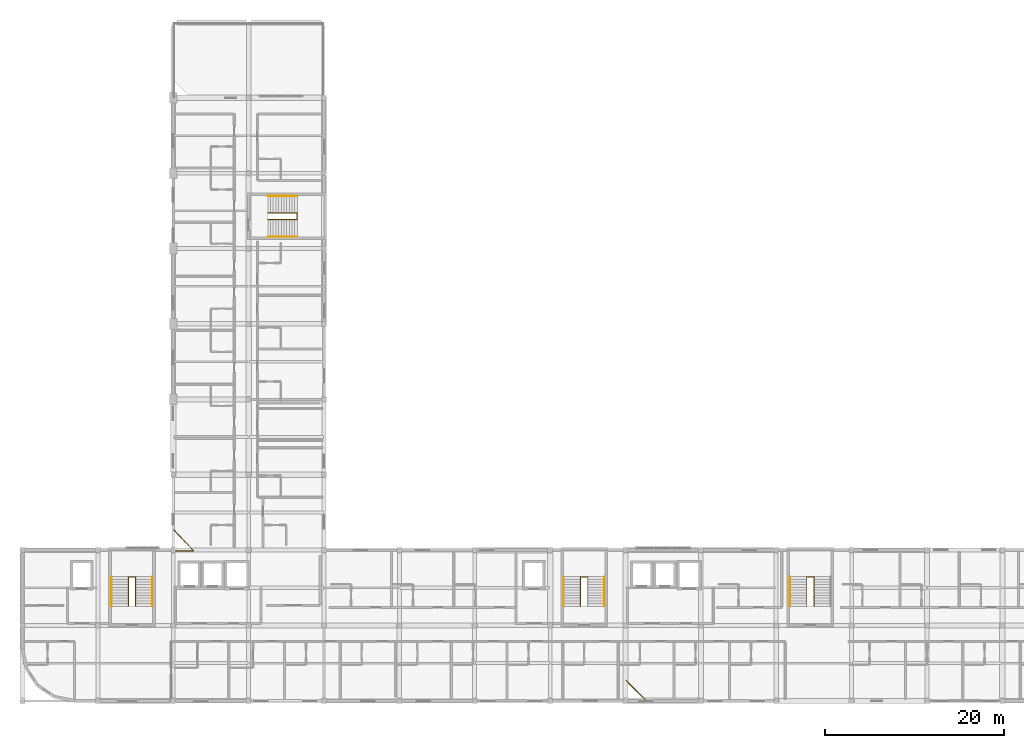
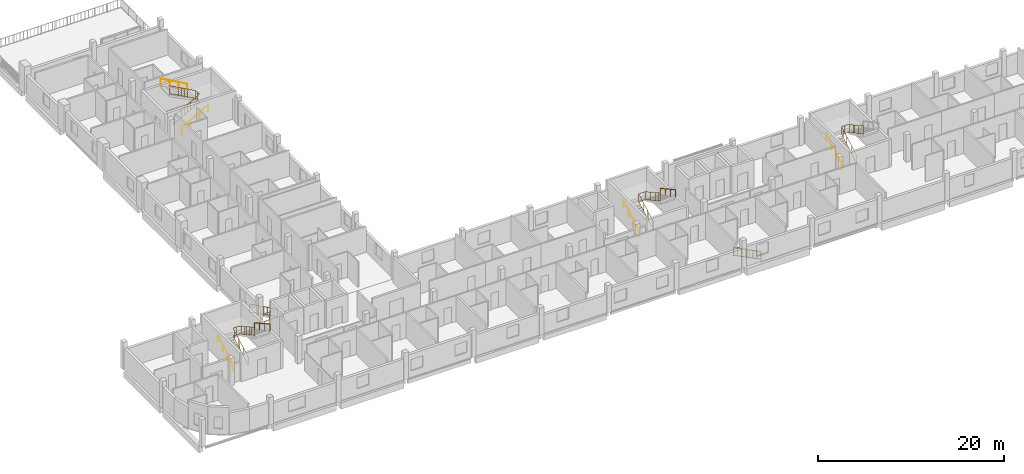
# One storey, part 24 of 26: 13 railings.
"""IFC4 building model written with IfcOpenShell, lengths in metres."""

from ifc_helpers import new_model, si_unit, derived_unit, direction, frame, origin, origin_2d, place, context, subcontext, project, spatial, circle, extrude, material, layer, layer_set, type_object, element, save


model = new_model("IFC4")

# Units and contexts
model_context = context("Model", 3, precision=1e-05, world=origin(), true_north=direction((0.0, 1.0)))
body_context = subcontext(model_context, "Body", "Model", "MODEL_VIEW")
ifc_project = project(units=[si_unit("LENGTHUNIT", "METRE"), si_unit("AREAUNIT", "SQUARE_METRE"), si_unit("VOLUMEUNIT", "CUBIC_METRE"), si_unit("PLANEANGLEUNIT", "RADIAN"), si_unit("MASSUNIT", "GRAM", prefix="KILO"), derived_unit("THERMALTRANSMITTANCEUNIT", [(si_unit("POWERUNIT", "WATT"), 1), (si_unit("LENGTHUNIT", "METRE"), -2), (si_unit("THERMODYNAMICTEMPERATUREUNIT", "KELVIN"), -1)])], contexts=[model_context])

# Site, building, storey
site_placement = place(None, origin())
site = spatial("IfcSite", under=ifc_project, at=site_placement, CompositionType="ELEMENT")
building_placement = place(site_placement, origin())
building = spatial("IfcBuilding", under=site, at=building_placement, Name="Barrovel Congress Hotel", CompositionType="ELEMENT")
storey_placement = place(building_placement, frame((0.0, 0.0, 32.699951171875)))
storey = spatial("IfcBuildingStorey", under=building, at=storey_placement, Name="L08", CompositionType="ELEMENT", Elevation=32.699951171875)

# Railings
ifc_material_1 = material(Name="Painted Architectural Steel", Category="steel")
ifc_layer_1 = layer(ifc_material_1, 0.070068359375)
ifc_layer_set_1 = layer_set([ifc_layer_1], Name="Painted Architectural Steel")
railing_type_1 = type_object("IfcRailingType", Name="RAIL-GUARD-INT", PredefinedType="BALUSTRADE", material=ifc_layer_set_1)
railing_1_placement = place(storey_placement, frame((28.60009765625, 14.739990234375, 0.0)))
element("IfcRailing", 1, at=railing_1_placement, inside=storey, type_object=railing_type_1, Name="STAIR:XS-01:L08:GR-W", PredefinedType="BALUSTRADE", context=body_context, shape_type="SweptSolid", body=[
    extrude(circle(Radius=0.02392578125, at=origin_2d()), frame((0.0, 0.0, 1.11572265625), z_axis=(0.0, 0.876041855244, 0.482235075311), x_axis=(-1.0, 0.0, 0.0)), (0.0, 0.0, 1.0), 3.732666015625),
    extrude(circle(Radius=0.02392578125, at=origin_2d()), frame((0.0, 0.0, 0.10009765625), z_axis=(0.0, 0.876041855244, 0.482235075311), x_axis=(-1.0, 0.0, 0.0)), (0.0, 0.0, 1.0), 3.732666015625),
    extrude(circle(Radius=0.010009765625, at=origin_2d()), frame((0.0, 0.36328125, 0.300048828125)), (0.0, 0.0, 1.0), 0.99169921875),
    extrude(circle(Radius=0.010009765625, at=origin_2d()), frame((0.0, 0.7265625, 0.5)), (0.0, 0.0, 1.0), 0.99169921875),
    extrude(circle(Radius=0.010009765625, at=origin_2d()), frame((0.0, 1.090087890625, 0.699951171875)), (0.0, 0.0, 1.0), 0.99169921875),
    extrude(circle(Radius=0.010009765625, at=origin_2d()), frame((0.0, 1.453369140625, 0.89990234375)), (0.0, 0.0, 1.0), 0.99169921875),
    extrude(circle(Radius=0.010009765625, at=origin_2d()), frame((0.0, 1.816650390625, 1.10009765625)), (0.0, 0.0, 1.0), 0.99169921875),
    extrude(circle(Radius=0.010009765625, at=origin_2d()), frame((0.0, 2.179931640625, 1.300048828125)), (0.0, 0.0, 1.0), 0.99169921875),
    extrude(circle(Radius=0.010009765625, at=origin_2d()), frame((0.0, 2.54345703125, 1.5)), (0.0, 0.0, 1.0), 0.99169921875),
    extrude(circle(Radius=0.010009765625, at=origin_2d()), frame((0.0, 2.90673828125, 1.699951171875)), (0.0, 0.0, 1.0), 0.99169921875),
    extrude(circle(Radius=0.02392578125, at=origin_2d()), frame((0.0, 3.27001953125, 2.916015625), z_axis=(1.0, 0.0, 0.0), x_axis=(0.0, 1.0, 0.0)), (0.0, 0.0, 1.0), 0.7998046875),
    extrude(circle(Radius=0.02392578125, at=origin_2d()), frame((0.0, 3.27001953125, 1.900146484375), z_axis=(1.0, 0.0, 0.0), x_axis=(0.0, 1.0, 0.0)), (0.0, 0.0, 1.0), 0.7998046875),
    extrude(circle(Radius=0.010009765625, at=origin_2d()), frame((0.39990234375, 3.27001953125, 1.900146484375)), (0.0, 0.0, 1.0), 0.99169921875),
    extrude(circle(Radius=0.02392578125, at=origin_2d()), frame((0.7998046875, 3.27001953125, 2.916015625), z_axis=(0.0, -0.876041855244, 0.482235075311), x_axis=(1.0, 0.0, 0.0)), (0.0, 0.0, 1.0), 3.732666015625),
    extrude(circle(Radius=0.02392578125, at=origin_2d()), frame((0.7998046875, 3.27001953125, 1.900146484375), z_axis=(0.0, -0.876041855244, 0.482235075311), x_axis=(1.0, 0.0, 0.0)), (0.0, 0.0, 1.0), 3.732666015625),
    extrude(circle(Radius=0.010009765625, at=origin_2d()), frame((0.7998046875, 2.90673828125, 2.10009765625)), (0.0, 0.0, 1.0), 0.99169921875),
    extrude(circle(Radius=0.010009765625, at=origin_2d()), frame((0.7998046875, 2.54345703125, 2.300048828125)), (0.0, 0.0, 1.0), 0.99169921875),
    extrude(circle(Radius=0.010009765625, at=origin_2d()), frame((0.7998046875, 2.179931640625, 2.5)), (0.0, 0.0, 1.0), 0.99169921875),
    extrude(circle(Radius=0.010009765625, at=origin_2d()), frame((0.7998046875, 1.816650390625, 2.699951171875)), (0.0, 0.0, 1.0), 0.99169921875),
    extrude(circle(Radius=0.010009765625, at=origin_2d()), frame((0.7998046875, 1.453369140625, 2.900146484375)), (0.0, 0.0, 1.0), 0.99169921875),
    extrude(circle(Radius=0.010009765625, at=origin_2d()), frame((0.7998046875, 1.090087890625, 3.10009765625)), (0.0, 0.0, 1.0), 0.99169921875),
    extrude(circle(Radius=0.010009765625, at=origin_2d()), frame((0.7998046875, 0.7265625, 3.300048828125)), (0.0, 0.0, 1.0), 0.99169921875),
    extrude(circle(Radius=0.010009765625, at=origin_2d()), frame((0.7998046875, 0.36328125, 3.5)), (0.0, 0.0, 1.0), 0.99169921875),
    extrude(circle(Radius=0.02099609375, at=origin_2d()), origin(), (0.0, 0.0, 1.0), 1.091796875),
    extrude(circle(Radius=0.02099609375, at=origin_2d()), frame((0.0, 1.090087890625, 0.60009765625)), (0.0, 0.0, 1.0), 1.091796875),
    extrude(circle(Radius=0.02099609375, at=origin_2d()), frame((0.0, 2.179931640625, 1.199951171875)), (0.0, 0.0, 1.0), 1.091796875),
    extrude(circle(Radius=0.02099609375, at=origin_2d()), frame((0.0, 3.27001953125, 1.800048828125)), (0.0, 0.0, 1.0), 1.091796875),
    extrude(circle(Radius=0.02099609375, at=origin_2d()), frame((0.7998046875, 3.27001953125, 1.800048828125)), (0.0, 0.0, 1.0), 1.091796875),
    extrude(circle(Radius=0.02099609375, at=origin_2d()), frame((0.7998046875, 2.179931640625, 2.400146484375)), (0.0, 0.0, 1.0), 1.091796875),
    extrude(circle(Radius=0.02099609375, at=origin_2d()), frame((0.7998046875, 1.090087890625, 3.0)), (0.0, 0.0, 1.0), 1.091796875),
    extrude(circle(Radius=0.02099609375, at=origin_2d()), frame((0.7998046875, 0.0, 3.60009765625)), (0.0, 0.0, 1.0), 1.091796875),
])
railing_2_placement = place(storey_placement, frame((79.0, 14.739990234375, 0.0)))
element("IfcRailing", 2, at=railing_2_placement, inside=storey, type_object=railing_type_1, Name="STAIR:XS-02:L08:GR-W", PredefinedType="BALUSTRADE", context=body_context, shape_type="SweptSolid", body=[
    extrude(circle(Radius=0.02392578125, at=origin_2d()), frame((0.0, 0.0, 1.11572265625), z_axis=(0.0, 0.876041855244, 0.482235075311), x_axis=(-1.0, 0.0, 0.0)), (0.0, 0.0, 1.0), 3.732666015625),
    extrude(circle(Radius=0.02392578125, at=origin_2d()), frame((0.0, 0.0, 0.10009765625), z_axis=(0.0, 0.876041855244, 0.482235075311), x_axis=(-1.0, 0.0, 0.0)), (0.0, 0.0, 1.0), 3.732666015625),
    extrude(circle(Radius=0.010009765625, at=origin_2d()), frame((0.0, 0.36328125, 0.300048828125)), (0.0, 0.0, 1.0), 0.99169921875),
    extrude(circle(Radius=0.010009765625, at=origin_2d()), frame((0.0, 0.7265625, 0.5)), (0.0, 0.0, 1.0), 0.99169921875),
    extrude(circle(Radius=0.010009765625, at=origin_2d()), frame((0.0, 1.090087890625, 0.699951171875)), (0.0, 0.0, 1.0), 0.99169921875),
    extrude(circle(Radius=0.010009765625, at=origin_2d()), frame((0.0, 1.453369140625, 0.89990234375)), (0.0, 0.0, 1.0), 0.99169921875),
    extrude(circle(Radius=0.010009765625, at=origin_2d()), frame((0.0, 1.816650390625, 1.10009765625)), (0.0, 0.0, 1.0), 0.99169921875),
    extrude(circle(Radius=0.010009765625, at=origin_2d()), frame((0.0, 2.179931640625, 1.300048828125)), (0.0, 0.0, 1.0), 0.99169921875),
    extrude(circle(Radius=0.010009765625, at=origin_2d()), frame((0.0, 2.54345703125, 1.5)), (0.0, 0.0, 1.0), 0.99169921875),
    extrude(circle(Radius=0.010009765625, at=origin_2d()), frame((0.0, 2.90673828125, 1.699951171875)), (0.0, 0.0, 1.0), 0.99169921875),
    extrude(circle(Radius=0.02392578125, at=origin_2d()), frame((0.0, 3.27001953125, 2.916015625), z_axis=(1.0, 0.0, 0.0), x_axis=(0.0, 1.0, 0.0)), (0.0, 0.0, 1.0), 0.800048828125),
    extrude(circle(Radius=0.02392578125, at=origin_2d()), frame((0.0, 3.27001953125, 1.900146484375), z_axis=(1.0, 0.0, 0.0), x_axis=(0.0, 1.0, 0.0)), (0.0, 0.0, 1.0), 0.800048828125),
    extrude(circle(Radius=0.010009765625, at=origin_2d()), frame((0.39990234375, 3.27001953125, 1.900146484375)), (0.0, 0.0, 1.0), 0.99169921875),
    extrude(circle(Radius=0.02392578125, at=origin_2d()), frame((0.800048828125, 3.27001953125, 2.916015625), z_axis=(0.0, -0.876041855244, 0.482235075311), x_axis=(1.0, 0.0, 0.0)), (0.0, 0.0, 1.0), 3.732666015625),
    extrude(circle(Radius=0.02392578125, at=origin_2d()), frame((0.800048828125, 3.27001953125, 1.900146484375), z_axis=(0.0, -0.876041855244, 0.482235075311), x_axis=(1.0, 0.0, 0.0)), (0.0, 0.0, 1.0), 3.732666015625),
    extrude(circle(Radius=0.010009765625, at=origin_2d()), frame((0.800048828125, 2.90673828125, 2.10009765625)), (0.0, 0.0, 1.0), 0.99169921875),
    extrude(circle(Radius=0.010009765625, at=origin_2d()), frame((0.800048828125, 2.54345703125, 2.300048828125)), (0.0, 0.0, 1.0), 0.99169921875),
    extrude(circle(Radius=0.010009765625, at=origin_2d()), frame((0.800048828125, 2.179931640625, 2.5)), (0.0, 0.0, 1.0), 0.99169921875),
    extrude(circle(Radius=0.010009765625, at=origin_2d()), frame((0.800048828125, 1.816650390625, 2.699951171875)), (0.0, 0.0, 1.0), 0.99169921875),
    extrude(circle(Radius=0.010009765625, at=origin_2d()), frame((0.800048828125, 1.453369140625, 2.900146484375)), (0.0, 0.0, 1.0), 0.99169921875),
    extrude(circle(Radius=0.010009765625, at=origin_2d()), frame((0.800048828125, 1.090087890625, 3.10009765625)), (0.0, 0.0, 1.0), 0.99169921875),
    extrude(circle(Radius=0.010009765625, at=origin_2d()), frame((0.800048828125, 0.7265625, 3.300048828125)), (0.0, 0.0, 1.0), 0.99169921875),
    extrude(circle(Radius=0.010009765625, at=origin_2d()), frame((0.800048828125, 0.36328125, 3.5)), (0.0, 0.0, 1.0), 0.99169921875),
    extrude(circle(Radius=0.02099609375, at=origin_2d()), origin(), (0.0, 0.0, 1.0), 1.091796875),
    extrude(circle(Radius=0.02099609375, at=origin_2d()), frame((0.0, 1.090087890625, 0.60009765625)), (0.0, 0.0, 1.0), 1.091796875),
    extrude(circle(Radius=0.02099609375, at=origin_2d()), frame((0.0, 2.179931640625, 1.199951171875)), (0.0, 0.0, 1.0), 1.091796875),
    extrude(circle(Radius=0.02099609375, at=origin_2d()), frame((0.0, 3.27001953125, 1.800048828125)), (0.0, 0.0, 1.0), 1.091796875),
    extrude(circle(Radius=0.02099609375, at=origin_2d()), frame((0.800048828125, 3.27001953125, 1.800048828125)), (0.0, 0.0, 1.0), 1.091796875),
    extrude(circle(Radius=0.02099609375, at=origin_2d()), frame((0.800048828125, 2.179931640625, 2.400146484375)), (0.0, 0.0, 1.0), 1.091796875),
    extrude(circle(Radius=0.02099609375, at=origin_2d()), frame((0.800048828125, 1.090087890625, 3.0)), (0.0, 0.0, 1.0), 1.091796875),
    extrude(circle(Radius=0.02099609375, at=origin_2d()), frame((0.800048828125, 0.0, 3.60009765625)), (0.0, 0.0, 1.0), 1.091796875),
])
railing_3_placement = place(storey_placement, frame((104.199951171875, 14.739990234375, 0.0)))
element("IfcRailing", 3, at=railing_3_placement, inside=storey, type_object=railing_type_1, Name="STAIR:XS-03:L08:GR-W", PredefinedType="BALUSTRADE", context=body_context, shape_type="SweptSolid", body=[
    extrude(circle(Radius=0.02392578125, at=origin_2d()), frame((0.0, 0.0, 1.11572265625), z_axis=(0.0, 0.876041855244, 0.482235075311), x_axis=(-1.0, 0.0, 0.0)), (0.0, 0.0, 1.0), 3.732666015625),
    extrude(circle(Radius=0.02392578125, at=origin_2d()), frame((0.0, 0.0, 0.10009765625), z_axis=(0.0, 0.876041855244, 0.482235075311), x_axis=(-1.0, 0.0, 0.0)), (0.0, 0.0, 1.0), 3.732666015625),
    extrude(circle(Radius=0.010009765625, at=origin_2d()), frame((0.0, 0.36328125, 0.300048828125)), (0.0, 0.0, 1.0), 0.99169921875),
    extrude(circle(Radius=0.010009765625, at=origin_2d()), frame((0.0, 0.7265625, 0.5)), (0.0, 0.0, 1.0), 0.99169921875),
    extrude(circle(Radius=0.010009765625, at=origin_2d()), frame((0.0, 1.090087890625, 0.699951171875)), (0.0, 0.0, 1.0), 0.99169921875),
    extrude(circle(Radius=0.010009765625, at=origin_2d()), frame((0.0, 1.453369140625, 0.89990234375)), (0.0, 0.0, 1.0), 0.99169921875),
    extrude(circle(Radius=0.010009765625, at=origin_2d()), frame((0.0, 1.816650390625, 1.10009765625)), (0.0, 0.0, 1.0), 0.99169921875),
    extrude(circle(Radius=0.010009765625, at=origin_2d()), frame((0.0, 2.179931640625, 1.300048828125)), (0.0, 0.0, 1.0), 0.99169921875),
    extrude(circle(Radius=0.010009765625, at=origin_2d()), frame((0.0, 2.54345703125, 1.5)), (0.0, 0.0, 1.0), 0.99169921875),
    extrude(circle(Radius=0.010009765625, at=origin_2d()), frame((0.0, 2.90673828125, 1.699951171875)), (0.0, 0.0, 1.0), 0.99169921875),
    extrude(circle(Radius=0.02392578125, at=origin_2d()), frame((0.0, 3.27001953125, 2.916015625), z_axis=(1.0, 0.0, 0.0), x_axis=(0.0, 1.0, 0.0)), (0.0, 0.0, 1.0), 0.800048828125),
    extrude(circle(Radius=0.02392578125, at=origin_2d()), frame((0.0, 3.27001953125, 1.900146484375), z_axis=(1.0, 0.0, 0.0), x_axis=(0.0, 1.0, 0.0)), (0.0, 0.0, 1.0), 0.800048828125),
    extrude(circle(Radius=0.010009765625, at=origin_2d()), frame((0.39990234375, 3.27001953125, 1.900146484375)), (0.0, 0.0, 1.0), 0.99169921875),
    extrude(circle(Radius=0.02392578125, at=origin_2d()), frame((0.800048828125, 3.27001953125, 2.916015625), z_axis=(0.0, -0.876041855244, 0.482235075311), x_axis=(1.0, 0.0, 0.0)), (0.0, 0.0, 1.0), 3.732666015625),
    extrude(circle(Radius=0.02392578125, at=origin_2d()), frame((0.800048828125, 3.27001953125, 1.900146484375), z_axis=(0.0, -0.876041855244, 0.482235075311), x_axis=(1.0, 0.0, 0.0)), (0.0, 0.0, 1.0), 3.732666015625),
    extrude(circle(Radius=0.010009765625, at=origin_2d()), frame((0.800048828125, 2.90673828125, 2.10009765625)), (0.0, 0.0, 1.0), 0.99169921875),
    extrude(circle(Radius=0.010009765625, at=origin_2d()), frame((0.800048828125, 2.54345703125, 2.300048828125)), (0.0, 0.0, 1.0), 0.99169921875),
    extrude(circle(Radius=0.010009765625, at=origin_2d()), frame((0.800048828125, 2.179931640625, 2.5)), (0.0, 0.0, 1.0), 0.99169921875),
    extrude(circle(Radius=0.010009765625, at=origin_2d()), frame((0.800048828125, 1.816650390625, 2.699951171875)), (0.0, 0.0, 1.0), 0.99169921875),
    extrude(circle(Radius=0.010009765625, at=origin_2d()), frame((0.800048828125, 1.453369140625, 2.900146484375)), (0.0, 0.0, 1.0), 0.99169921875),
    extrude(circle(Radius=0.010009765625, at=origin_2d()), frame((0.800048828125, 1.090087890625, 3.10009765625)), (0.0, 0.0, 1.0), 0.99169921875),
    extrude(circle(Radius=0.010009765625, at=origin_2d()), frame((0.800048828125, 0.7265625, 3.300048828125)), (0.0, 0.0, 1.0), 0.99169921875),
    extrude(circle(Radius=0.010009765625, at=origin_2d()), frame((0.800048828125, 0.36328125, 3.5)), (0.0, 0.0, 1.0), 0.99169921875),
    extrude(circle(Radius=0.02099609375, at=origin_2d()), origin(), (0.0, 0.0, 1.0), 1.091796875),
    extrude(circle(Radius=0.02099609375, at=origin_2d()), frame((0.0, 1.090087890625, 0.60009765625)), (0.0, 0.0, 1.0), 1.091796875),
    extrude(circle(Radius=0.02099609375, at=origin_2d()), frame((0.0, 2.179931640625, 1.199951171875)), (0.0, 0.0, 1.0), 1.091796875),
    extrude(circle(Radius=0.02099609375, at=origin_2d()), frame((0.0, 3.27001953125, 1.800048828125)), (0.0, 0.0, 1.0), 1.091796875),
    extrude(circle(Radius=0.02099609375, at=origin_2d()), frame((0.800048828125, 3.27001953125, 1.800048828125)), (0.0, 0.0, 1.0), 1.091796875),
    extrude(circle(Radius=0.02099609375, at=origin_2d()), frame((0.800048828125, 2.179931640625, 2.400146484375)), (0.0, 0.0, 1.0), 1.091796875),
    extrude(circle(Radius=0.02099609375, at=origin_2d()), frame((0.800048828125, 1.090087890625, 3.0)), (0.0, 0.0, 1.0), 1.091796875),
    extrude(circle(Radius=0.02099609375, at=origin_2d()), frame((0.800048828125, 0.0, 3.60009765625)), (0.0, 0.0, 1.0), 1.091796875),
])
railing_4_placement = place(storey_placement, frame((44.139892578125, 57.820068359375, 0.0)))
element("IfcRailing", 4, at=railing_4_placement, inside=storey, type_object=railing_type_1, Name="STAIR:XS-05:L08:GR-W", PredefinedType="BALUSTRADE", context=body_context, shape_type="SweptSolid", body=[
    extrude(circle(Radius=0.02392578125, at=origin_2d()), frame((0.0, 0.0, 1.11572265625), z_axis=(0.876041855244, 0.0, 0.482235075311), x_axis=(0.0, 1.0, 0.0)), (0.0, 0.0, 1.0), 3.732666015625),
    extrude(circle(Radius=0.02392578125, at=origin_2d()), frame((0.0, 0.0, 0.10009765625), z_axis=(0.876041855244, 0.0, 0.482235075311), x_axis=(0.0, 1.0, 0.0)), (0.0, 0.0, 1.0), 3.732666015625),
    extrude(circle(Radius=0.010009765625, at=origin_2d()), frame((0.36328125, 0.0, 0.300048828125)), (0.0, 0.0, 1.0), 0.99169921875),
    extrude(circle(Radius=0.010009765625, at=origin_2d()), frame((0.7265625, 0.0, 0.5)), (0.0, 0.0, 1.0), 0.99169921875),
    extrude(circle(Radius=0.010009765625, at=origin_2d()), frame((1.090087890625, 0.0, 0.699951171875)), (0.0, 0.0, 1.0), 0.99169921875),
    extrude(circle(Radius=0.010009765625, at=origin_2d()), frame((1.453369140625, 0.0, 0.89990234375)), (0.0, 0.0, 1.0), 0.99169921875),
    extrude(circle(Radius=0.010009765625, at=origin_2d()), frame((1.816650390625, 0.0, 1.10009765625)), (0.0, 0.0, 1.0), 0.99169921875),
    extrude(circle(Radius=0.010009765625, at=origin_2d()), frame((2.179931640625, 0.0, 1.300048828125)), (0.0, 0.0, 1.0), 0.99169921875),
    extrude(circle(Radius=0.010009765625, at=origin_2d()), frame((2.54345703125, 0.0, 1.5)), (0.0, 0.0, 1.0), 0.99169921875),
    extrude(circle(Radius=0.010009765625, at=origin_2d()), frame((2.90673828125, 0.0, 1.699951171875)), (0.0, 0.0, 1.0), 0.99169921875),
    extrude(circle(Radius=0.02392578125, at=origin_2d()), frame((3.27001953125, 0.0, 2.916015625), z_axis=(0.0, 1.0, 0.0), x_axis=(-1.0, 0.0, 0.0)), (0.0, 0.0, 1.0), 0.760009765625),
    extrude(circle(Radius=0.02392578125, at=origin_2d()), frame((3.27001953125, 0.0, 1.900146484375), z_axis=(0.0, 1.0, 0.0), x_axis=(-1.0, 0.0, 0.0)), (0.0, 0.0, 1.0), 0.760009765625),
    extrude(circle(Radius=0.010009765625, at=origin_2d()), frame((3.27001953125, 0.3798828125, 1.900146484375)), (0.0, 0.0, 1.0), 0.99169921875),
    extrude(circle(Radius=0.02392578125, at=origin_2d()), frame((3.27001953125, 0.760009765625, 2.916015625), z_axis=(-0.876041855244, 0.0, 0.482235075311), x_axis=(0.0, -1.0, 0.0)), (0.0, 0.0, 1.0), 3.732666015625),
    extrude(circle(Radius=0.02392578125, at=origin_2d()), frame((3.27001953125, 0.760009765625, 1.900146484375), z_axis=(-0.876041855244, 0.0, 0.482235075311), x_axis=(0.0, -1.0, 0.0)), (0.0, 0.0, 1.0), 3.732666015625),
    extrude(circle(Radius=0.010009765625, at=origin_2d()), frame((2.90673828125, 0.760009765625, 2.10009765625)), (0.0, 0.0, 1.0), 0.99169921875),
    extrude(circle(Radius=0.010009765625, at=origin_2d()), frame((2.54345703125, 0.760009765625, 2.300048828125)), (0.0, 0.0, 1.0), 0.99169921875),
    extrude(circle(Radius=0.010009765625, at=origin_2d()), frame((2.179931640625, 0.760009765625, 2.5)), (0.0, 0.0, 1.0), 0.99169921875),
    extrude(circle(Radius=0.010009765625, at=origin_2d()), frame((1.816650390625, 0.760009765625, 2.699951171875)), (0.0, 0.0, 1.0), 0.99169921875),
    extrude(circle(Radius=0.010009765625, at=origin_2d()), frame((1.453369140625, 0.760009765625, 2.900146484375)), (0.0, 0.0, 1.0), 0.99169921875),
    extrude(circle(Radius=0.010009765625, at=origin_2d()), frame((1.090087890625, 0.760009765625, 3.10009765625)), (0.0, 0.0, 1.0), 0.99169921875),
    extrude(circle(Radius=0.010009765625, at=origin_2d()), frame((0.7265625, 0.760009765625, 3.300048828125)), (0.0, 0.0, 1.0), 0.99169921875),
    extrude(circle(Radius=0.010009765625, at=origin_2d()), frame((0.36328125, 0.760009765625, 3.5)), (0.0, 0.0, 1.0), 0.99169921875),
    extrude(circle(Radius=0.02099609375, at=origin_2d()), origin(), (0.0, 0.0, 1.0), 1.091796875),
    extrude(circle(Radius=0.02099609375, at=origin_2d()), frame((1.090087890625, 0.0, 0.60009765625)), (0.0, 0.0, 1.0), 1.091796875),
    extrude(circle(Radius=0.02099609375, at=origin_2d()), frame((2.179931640625, 0.0, 1.199951171875)), (0.0, 0.0, 1.0), 1.091796875),
    extrude(circle(Radius=0.02099609375, at=origin_2d()), frame((3.27001953125, 0.0, 1.800048828125)), (0.0, 0.0, 1.0), 1.091796875),
    extrude(circle(Radius=0.02099609375, at=origin_2d()), frame((3.27001953125, 0.760009765625, 1.800048828125)), (0.0, 0.0, 1.0), 1.091796875),
    extrude(circle(Radius=0.02099609375, at=origin_2d()), frame((2.179931640625, 0.760009765625, 2.400146484375)), (0.0, 0.0, 1.0), 1.091796875),
    extrude(circle(Radius=0.02099609375, at=origin_2d()), frame((1.090087890625, 0.760009765625, 3.0)), (0.0, 0.0, 1.0), 1.091796875),
    extrude(circle(Radius=0.02099609375, at=origin_2d()), frame((0.0, 0.760009765625, 3.60009765625)), (0.0, 0.0, 1.0), 1.091796875),
])
railing_5_placement = place(storey_placement, frame((33.679931640625, 20.919921875, 0.0)))
element("IfcRailing", 5, at=railing_5_placement, inside=storey, type_object=railing_type_1, Name="RAIL:L08:CG-HW1", PredefinedType="BALUSTRADE", context=body_context, shape_type="SweptSolid", body=[
    extrude(circle(Radius=0.02392578125, at=origin_2d()), frame((0.0, 0.0, 1.11572265625), z_axis=(1.0, 0.0, 0.0), x_axis=(0.0, 1.0, 0.0)), (0.0, 0.0, 1.0), 2.170166015625),
    extrude(circle(Radius=0.02392578125, at=origin_2d()), frame((0.0, 0.0, 0.10009765625), z_axis=(1.0, 0.0, 0.0), x_axis=(0.0, 1.0, 0.0)), (0.0, 0.0, 1.0), 2.170166015625),
    extrude(circle(Radius=0.010009765625, at=origin_2d()), frame((0.43408203125, 0.0, 0.10009765625)), (0.0, 0.0, 1.0), 0.99169921875),
    extrude(circle(Radius=0.010009765625, at=origin_2d()), frame((0.8681640625, 0.0, 0.10009765625)), (0.0, 0.0, 1.0), 0.99169921875),
    extrude(circle(Radius=0.010009765625, at=origin_2d()), frame((1.302001953125, 0.0, 0.10009765625)), (0.0, 0.0, 1.0), 0.99169921875),
    extrude(circle(Radius=0.010009765625, at=origin_2d()), frame((1.736083984375, 0.0, 0.10009765625)), (0.0, 0.0, 1.0), 0.99169921875),
    extrude(circle(Radius=0.02392578125, at=origin_2d()), frame((2.170166015625, 0.0, 1.11572265625), z_axis=(-0.681550229161, 0.731771333909, 0.0), x_axis=(-0.731771333909, -0.681550229161, 0.0)), (0.0, 0.0, 1.0), 3.18408203125),
    extrude(circle(Radius=0.02392578125, at=origin_2d()), frame((2.170166015625, 0.0, 0.10009765625), z_axis=(-0.681550229161, 0.731771333909, 0.0), x_axis=(-0.731771333909, -0.681550229161, 0.0)), (0.0, 0.0, 1.0), 3.18408203125),
    extrude(circle(Radius=0.010009765625, at=origin_2d()), frame((1.89892578125, 0.291259765625, 0.10009765625)), (0.0, 0.0, 1.0), 0.99169921875),
    extrude(circle(Radius=0.010009765625, at=origin_2d()), frame((1.627685546875, 0.58251953125, 0.10009765625)), (0.0, 0.0, 1.0), 0.99169921875),
    extrude(circle(Radius=0.010009765625, at=origin_2d()), frame((1.3564453125, 0.873779296875, 0.10009765625)), (0.0, 0.0, 1.0), 0.99169921875),
    extrude(circle(Radius=0.010009765625, at=origin_2d()), frame((1.0849609375, 1.1650390625, 0.10009765625)), (0.0, 0.0, 1.0), 0.99169921875),
    extrude(circle(Radius=0.010009765625, at=origin_2d()), frame((0.813720703125, 1.456298828125, 0.10009765625)), (0.0, 0.0, 1.0), 0.99169921875),
    extrude(circle(Radius=0.010009765625, at=origin_2d()), frame((0.54248046875, 1.74755859375, 0.10009765625)), (0.0, 0.0, 1.0), 0.99169921875),
    extrude(circle(Radius=0.010009765625, at=origin_2d()), frame((0.271240234375, 2.038818359375, 0.10009765625)), (0.0, 0.0, 1.0), 0.99169921875),
    extrude(circle(Radius=0.02099609375, at=origin_2d()), origin(), (0.0, 0.0, 1.0), 1.091796875),
    extrude(circle(Radius=0.02099609375, at=origin_2d()), frame((1.0849609375, 0.0, 0.0)), (0.0, 0.0, 1.0), 1.091796875),
    extrude(circle(Radius=0.02099609375, at=origin_2d()), frame((2.170166015625, 0.0, 0.0)), (0.0, 0.0, 1.0), 1.091796875),
    extrude(circle(Radius=0.02099609375, at=origin_2d()), frame((1.0849609375, 1.1650390625, 0.0)), (0.0, 0.0, 1.0), 1.091796875),
    extrude(circle(Radius=0.02099609375, at=origin_2d()), frame((0.0, 2.330078125, 0.0)), (0.0, 0.0, 1.0), 1.091796875),
])
railing_6_placement = place(storey_placement, frame((86.25, 4.280029296875, 0.0)))
element("IfcRailing", 6, at=railing_6_placement, inside=storey, type_object=railing_type_1, Name="RAIL:L08:CG-HS2", PredefinedType="BALUSTRADE", context=body_context, shape_type="SweptSolid", body=[
    extrude(circle(Radius=0.02392578125, at=origin_2d()), frame((0.0, 0.0, 1.11572265625), z_axis=(-0.707106781187, 0.707106781187, 0.0), x_axis=(-0.707106781187, -0.707106781187, 0.0)), (0.0, 0.0, 1.0), 3.06884765625),
    extrude(circle(Radius=0.02392578125, at=origin_2d()), frame((0.0, 0.0, 0.10009765625), z_axis=(-0.707106781187, 0.707106781187, 0.0), x_axis=(-0.707106781187, -0.707106781187, 0.0)), (0.0, 0.0, 1.0), 3.06884765625),
    extrude(circle(Radius=0.010009765625, at=origin_2d()), frame((-0.31005859375, 0.31005859375, 0.10009765625)), (0.0, 0.0, 1.0), 0.99169921875),
    extrude(circle(Radius=0.010009765625, at=origin_2d()), frame((-0.619873046875, 0.619873046875, 0.10009765625)), (0.0, 0.0, 1.0), 0.99169921875),
    extrude(circle(Radius=0.010009765625, at=origin_2d()), frame((-0.929931640625, 0.929931640625, 0.10009765625)), (0.0, 0.0, 1.0), 0.99169921875),
    extrude(circle(Radius=0.010009765625, at=origin_2d()), frame((-1.239990234375, 1.239990234375, 0.10009765625)), (0.0, 0.0, 1.0), 0.99169921875),
    extrude(circle(Radius=0.010009765625, at=origin_2d()), frame((-1.550048828125, 1.550048828125, 0.10009765625)), (0.0, 0.0, 1.0), 0.99169921875),
    extrude(circle(Radius=0.010009765625, at=origin_2d()), frame((-1.85986328125, 1.85986328125, 0.10009765625)), (0.0, 0.0, 1.0), 0.99169921875),
    extrude(circle(Radius=0.02099609375, at=origin_2d()), origin(), (0.0, 0.0, 1.0), 1.091796875),
    extrude(circle(Radius=0.02099609375, at=origin_2d()), frame((-1.0849609375, 1.0849609375, 0.0)), (0.0, 0.0, 1.0), 1.091796875),
    extrude(circle(Radius=0.02099609375, at=origin_2d()), frame((-2.169921875, 2.169921875, 0.0)), (0.0, 0.0, 1.0), 1.091796875),
])
ifc_material_2 = material(Name="Brushed Stainless Steel", Category="steel")
ifc_layer_2 = layer(ifc_material_2, 0.050048828125)
ifc_layer_set_2 = layer_set([ifc_layer_2], Name="Brushed Stainless Steel")
railing_type_2 = type_object("IfcRailingType", Name="RAIL-HAND", PredefinedType="HANDRAIL", material=ifc_layer_set_2)
railing_7_placement = place(storey_placement, frame((26.719970703125, 14.739990234375, 0.0)))
element("IfcRailing", 7, at=railing_7_placement, inside=storey, type_object=railing_type_2, Name="STAIR:XS-01:L08:HR-1", PredefinedType="HANDRAIL", context=body_context, shape_type="SweptSolid", body=[
    extrude(circle(Radius=0.02392578125, at=origin_2d()), frame((0.0, 0.0, 0.89599609375), z_axis=(0.0, 0.876041855244, 0.482235075311), x_axis=(-1.0, 0.0, 0.0)), (0.0, 0.0, 1.0), 3.732666015625),
    extrude(circle(Radius=0.02099609375, at=origin_2d()), origin(), (0.0, 0.0, 1.0), 0.871826171875),
    extrude(circle(Radius=0.02099609375, at=origin_2d()), frame((0.0, 1.090087890625, 0.60009765625)), (0.0, 0.0, 1.0), 0.871826171875),
    extrude(circle(Radius=0.02099609375, at=origin_2d()), frame((0.0, 2.179931640625, 1.199951171875)), (0.0, 0.0, 1.0), 0.871826171875),
    extrude(circle(Radius=0.02099609375, at=origin_2d()), frame((0.0, 3.27001953125, 1.800048828125)), (0.0, 0.0, 1.0), 0.871826171875),
])
railing_8_placement = place(storey_placement, frame((31.280029296875, 18.010009765625, 1.800048828125)))
element("IfcRailing", 8, at=railing_8_placement, inside=storey, type_object=railing_type_2, Name="STAIR:XS-01:L08:HR-2", PredefinedType="HANDRAIL", context=body_context, shape_type="SweptSolid", body=[
    extrude(circle(Radius=0.02392578125, at=origin_2d()), frame((0.0, 0.0, 0.89599609375), z_axis=(0.0, -0.876041855244, 0.482235075311), x_axis=(1.0, 0.0, 0.0)), (0.0, 0.0, 1.0), 3.732666015625),
    extrude(circle(Radius=0.02099609375, at=origin_2d()), origin(), (0.0, 0.0, 1.0), 0.871826171875),
    extrude(circle(Radius=0.02099609375, at=origin_2d()), frame((0.0, -1.090087890625, 0.60009765625)), (0.0, 0.0, 1.0), 0.871826171875),
    extrude(circle(Radius=0.02099609375, at=origin_2d()), frame((0.0, -2.179931640625, 1.199951171875)), (0.0, 0.0, 1.0), 0.871826171875),
    extrude(circle(Radius=0.02099609375, at=origin_2d()), frame((0.0, -3.27001953125, 1.800048828125)), (0.0, 0.0, 1.0), 0.871826171875),
])
railing_9_placement = place(storey_placement, frame((77.1201171875, 14.739990234375, 0.0)))
element("IfcRailing", 9, at=railing_9_placement, inside=storey, type_object=railing_type_2, Name="STAIR:XS-02:L08:HR-1", PredefinedType="HANDRAIL", context=body_context, shape_type="SweptSolid", body=[
    extrude(circle(Radius=0.02392578125, at=origin_2d()), frame((0.0, 0.0, 0.89599609375), z_axis=(0.0, 0.876041855244, 0.482235075311), x_axis=(-1.0, 0.0, 0.0)), (0.0, 0.0, 1.0), 3.732666015625),
    extrude(circle(Radius=0.02099609375, at=origin_2d()), origin(), (0.0, 0.0, 1.0), 0.871826171875),
    extrude(circle(Radius=0.02099609375, at=origin_2d()), frame((0.0, 1.090087890625, 0.60009765625)), (0.0, 0.0, 1.0), 0.871826171875),
    extrude(circle(Radius=0.02099609375, at=origin_2d()), frame((0.0, 2.179931640625, 1.199951171875)), (0.0, 0.0, 1.0), 0.871826171875),
    extrude(circle(Radius=0.02099609375, at=origin_2d()), frame((0.0, 3.27001953125, 1.800048828125)), (0.0, 0.0, 1.0), 0.871826171875),
])
railing_10_placement = place(storey_placement, frame((81.679931640625, 18.010009765625, 1.800048828125)))
element("IfcRailing", 10, at=railing_10_placement, inside=storey, type_object=railing_type_2, Name="STAIR:XS-02:L08:HR-2", PredefinedType="HANDRAIL", context=body_context, shape_type="SweptSolid", body=[
    extrude(circle(Radius=0.02392578125, at=origin_2d()), frame((0.0, 0.0, 0.89599609375), z_axis=(0.0, -0.876041855244, 0.482235075311), x_axis=(1.0, 0.0, 0.0)), (0.0, 0.0, 1.0), 3.732666015625),
    extrude(circle(Radius=0.02099609375, at=origin_2d()), origin(), (0.0, 0.0, 1.0), 0.871826171875),
    extrude(circle(Radius=0.02099609375, at=origin_2d()), frame((0.0, -1.090087890625, 0.60009765625)), (0.0, 0.0, 1.0), 0.871826171875),
    extrude(circle(Radius=0.02099609375, at=origin_2d()), frame((0.0, -2.179931640625, 1.199951171875)), (0.0, 0.0, 1.0), 0.871826171875),
    extrude(circle(Radius=0.02099609375, at=origin_2d()), frame((0.0, -3.27001953125, 1.800048828125)), (0.0, 0.0, 1.0), 0.871826171875),
])
railing_11_placement = place(storey_placement, frame((102.320068359375, 14.739990234375, 0.0)))
element("IfcRailing", 11, at=railing_11_placement, inside=storey, type_object=railing_type_2, Name="STAIR:XS-03:L08:HR-1", PredefinedType="HANDRAIL", context=body_context, shape_type="SweptSolid", body=[
    extrude(circle(Radius=0.02392578125, at=origin_2d()), frame((0.0, 0.0, 0.89599609375), z_axis=(0.0, 0.876041855244, 0.482235075311), x_axis=(-1.0, 0.0, 0.0)), (0.0, 0.0, 1.0), 3.732666015625),
    extrude(circle(Radius=0.02099609375, at=origin_2d()), origin(), (0.0, 0.0, 1.0), 0.871826171875),
    extrude(circle(Radius=0.02099609375, at=origin_2d()), frame((0.0, 1.090087890625, 0.60009765625)), (0.0, 0.0, 1.0), 0.871826171875),
    extrude(circle(Radius=0.02099609375, at=origin_2d()), frame((0.0, 2.179931640625, 1.199951171875)), (0.0, 0.0, 1.0), 0.871826171875),
    extrude(circle(Radius=0.02099609375, at=origin_2d()), frame((0.0, 3.27001953125, 1.800048828125)), (0.0, 0.0, 1.0), 0.871826171875),
])
railing_12_placement = place(storey_placement, frame((44.139892578125, 55.919921875, 0.0)))
element("IfcRailing", 12, at=railing_12_placement, inside=storey, type_object=railing_type_2, Name="STAIR:XS-05:L08:HR-1", PredefinedType="HANDRAIL", context=body_context, shape_type="SweptSolid", body=[
    extrude(circle(Radius=0.02392578125, at=origin_2d()), frame((0.0, 0.0, 0.89599609375), z_axis=(0.876041855244, 0.0, 0.482235075311), x_axis=(0.0, 1.0, 0.0)), (0.0, 0.0, 1.0), 3.732666015625),
    extrude(circle(Radius=0.02099609375, at=origin_2d()), origin(), (0.0, 0.0, 1.0), 0.871826171875),
    extrude(circle(Radius=0.02099609375, at=origin_2d()), frame((1.090087890625, 0.0, 0.60009765625)), (0.0, 0.0, 1.0), 0.871826171875),
    extrude(circle(Radius=0.02099609375, at=origin_2d()), frame((2.179931640625, 0.0, 1.199951171875)), (0.0, 0.0, 1.0), 0.871826171875),
    extrude(circle(Radius=0.02099609375, at=origin_2d()), frame((3.27001953125, 0.0, 1.800048828125)), (0.0, 0.0, 1.0), 0.871826171875),
])
railing_13_placement = place(storey_placement, frame((47.409912109375, 60.47998046875, 1.800048828125)))
element("IfcRailing", 13, at=railing_13_placement, inside=storey, type_object=railing_type_2, Name="STAIR:XS-05:L08:HR-2", PredefinedType="HANDRAIL", context=body_context, shape_type="SweptSolid", body=[
    extrude(circle(Radius=0.02392578125, at=origin_2d()), frame((0.0, 0.0, 0.89599609375), z_axis=(-0.876041855244, 0.0, 0.482235075311), x_axis=(0.0, -1.0, 0.0)), (0.0, 0.0, 1.0), 3.732666015625),
    extrude(circle(Radius=0.02099609375, at=origin_2d()), origin(), (0.0, 0.0, 1.0), 0.871826171875),
    extrude(circle(Radius=0.02099609375, at=origin_2d()), frame((-1.090087890625, 0.0, 0.60009765625)), (0.0, 0.0, 1.0), 0.871826171875),
    extrude(circle(Radius=0.02099609375, at=origin_2d()), frame((-2.179931640625, 0.0, 1.199951171875)), (0.0, 0.0, 1.0), 0.871826171875),
    extrude(circle(Radius=0.02099609375, at=origin_2d()), frame((-3.27001953125, 0.0, 1.800048828125)), (0.0, 0.0, 1.0), 0.871826171875),
])

save(model, "model.ifc")
